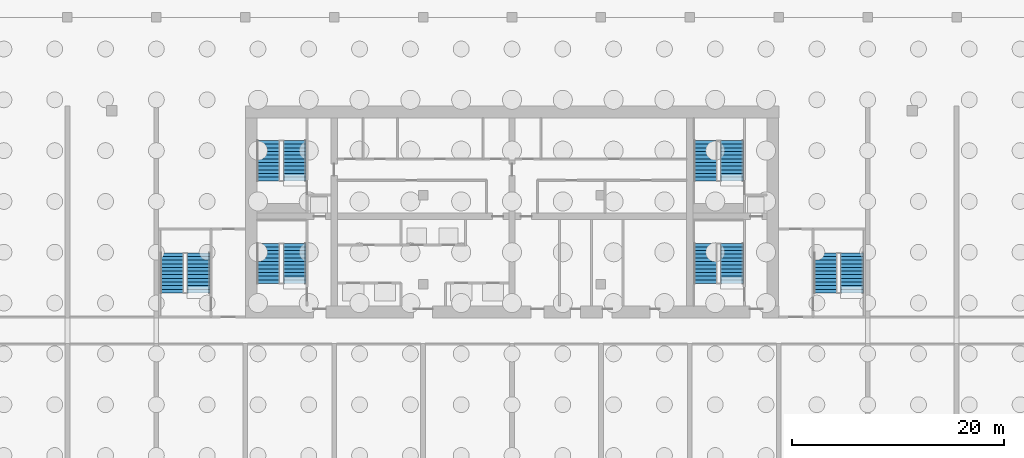
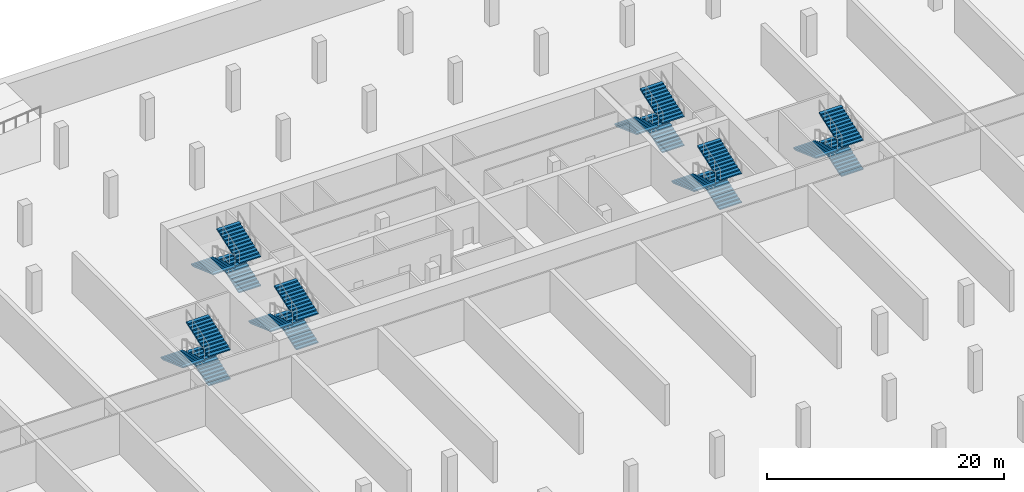
# One storey, part 15 of 17: 18 stair flights, 6 elements without a shape of their own.
"""IFC4 building model written with IfcOpenShell, lengths in metres."""

from ifc_helpers import new_model, si_unit, direction, frame, origin, place, context, subcontext, project, spatial, polyline, outline, extrude, source, transform, mapped, material, type_object, element, aggregate, save


model = new_model("IFC4")

# Units and contexts
model_context = context("Model", 3, precision=1e-05, world=origin(), true_north=direction((0.0, 1.0)))
body_context = subcontext(model_context, "Body", "Model", "MODEL_VIEW")
ifc_project = project(units=[si_unit("LENGTHUNIT", "METRE"), si_unit("AREAUNIT", "SQUARE_METRE"), si_unit("VOLUMEUNIT", "CUBIC_METRE"), si_unit("PLANEANGLEUNIT", "RADIAN"), si_unit("MASSUNIT", "GRAM", prefix="KILO")], contexts=[model_context])

# Site, building, storey
site_placement = place(None, origin())
site = spatial("IfcSite", under=ifc_project, at=site_placement, CompositionType="ELEMENT")
building_placement = place(site_placement, origin())
building = spatial("IfcBuilding", under=site, at=building_placement, Name="Vanashikhar Sky Hotel", CompositionType="ELEMENT")
storey_placement = place(building_placement, frame((0.0, 0.0, -13.5)))
storey = spatial("IfcBuildingStorey", under=building, at=storey_placement, Name="B3", CompositionType="ELEMENT", Elevation=-13.5)

# Stair, stair flights
ifc_material = material(Name="Concrete M40", Category="concrete")
stair_type = type_object("IfcStairType", Name="Exit stair 2150", PredefinedType="DOUBLE_RETURN_STAIR", material=ifc_material)
stair_1_placement = place(storey_placement, origin())
stair_1 = element("IfcStair", 1, at=stair_1_placement, inside=storey, type_object=stair_type, Name="B3 Exit stair 1", PredefinedType="DOUBLE_RETURN_STAIR")
stair_flight_type = type_object("IfcStairFlightType", Name="Stair flight 2150", PredefinedType="STRAIGHT", material=ifc_material)
shared_shape = source(origin(), body_context, "Body", "SweptSolid", [
    extrude(outline(polyline([(0.0, 0.0), (0.0, 0.125), (0.345458984375, 0.125), (0.345458984375, 0.25), (0.69091796875, 0.25), (0.69091796875, 0.375), (1.036376953125, 0.375), (1.036376953125, 0.5), (1.3818359375, 0.5), (1.3818359375, 0.625), (1.727294921875, 0.625), (1.727294921875, 0.75), (2.07275390625, 0.75), (2.07275390625, 0.875), (2.418212890625, 0.875), (2.418212890625, 1.0), (2.763671875, 1.0), (2.763671875, 1.125), (3.109130859375, 1.125), (3.109130859375, 1.25), (3.45458984375, 1.25), (3.45458984375, 1.375), (3.800048828125, 1.375), (3.800048828125, 1.5), (3.800048828125, 1.247314453125), (0.35302734375, 0.0), (0.0, 0.0)])), frame((0.0, 1.074951171875, 0.0), z_axis=(0.0, -1.0, 0.0), x_axis=(1.0, 0.0, 0.0)), (0.0, 0.0, 1.0), 2.14990234375),
])
stair_flight_1_placement = place(storey_placement, frame((29.875, 25.25, 0.0), z_axis=(0.0, 0.0, 1.0), x_axis=(0.0, 1.0, 0.0)))
stair_flight_1 = element("IfcStairFlight", 2, at=stair_flight_1_placement, type_object=stair_flight_type, Name="ST-C1 flight 1", NumberOfRisers=12, NumberOfTreads=11, PredefinedType="STRAIGHT", RiserHeight=0.125, TreadLength=0.345454545, context=body_context, shape_type="MappedRepresentation", body=[
    mapped(shared_shape, transform((0.0, 0.0, 0.0), scale=1.0)),
])
stair_flight_2_placement = place(storey_placement, frame((27.375, 29.050048828125, 1.5), z_axis=(0.0, 0.0, 1.0), x_axis=(0.0, -1.0, 0.0)))
stair_flight_2 = element("IfcStairFlight", 3, at=stair_flight_2_placement, type_object=stair_flight_type, Name="ST-C1 flight 2", NumberOfRisers=12, NumberOfTreads=11, PredefinedType="STRAIGHT", RiserHeight=0.125, TreadLength=0.345454545, context=body_context, shape_type="MappedRepresentation", body=[
    mapped(shared_shape, transform((0.0, 0.0, 0.0), scale=1.0)),
])
stair_flight_3_placement = place(storey_placement, frame((29.875, 25.25, 3.0), z_axis=(0.0, 0.0, 1.0), x_axis=(0.0, 1.0, 0.0)))
stair_flight_3 = element("IfcStairFlight", 4, at=stair_flight_3_placement, type_object=stair_flight_type, Name="ST-C1 flight 3", NumberOfRisers=12, NumberOfTreads=11, PredefinedType="STRAIGHT", RiserHeight=0.125, TreadLength=0.345454545, context=body_context, shape_type="MappedRepresentation", body=[
    mapped(shared_shape, transform((0.0, 0.0, 0.0), scale=1.0)),
])
aggregate(stair_1, [stair_flight_1, stair_flight_2, stair_flight_3])

stair_2_placement = place(storey_placement, origin())
stair_2 = element("IfcStair", 5, at=stair_2_placement, inside=storey, type_object=stair_type, Name="B3 Exit stair 2", PredefinedType="DOUBLE_RETURN_STAIR")
stair_flight_4_placement = place(storey_placement, frame((71.175048828125, 25.25, 0.0), z_axis=(0.0, 0.0, 1.0), x_axis=(0.0, 1.0, 0.0)))
stair_flight_4 = element("IfcStairFlight", 6, at=stair_flight_4_placement, type_object=stair_flight_type, Name="ST-C2 flight 1", NumberOfRisers=12, NumberOfTreads=11, PredefinedType="STRAIGHT", RiserHeight=0.125, TreadLength=0.345454545, context=body_context, shape_type="MappedRepresentation", body=[
    mapped(shared_shape, transform((0.0, 0.0, 0.0), scale=1.0)),
])
stair_flight_5_placement = place(storey_placement, frame((68.675048828125, 29.050048828125, 1.5), z_axis=(0.0, 0.0, 1.0), x_axis=(0.0, -1.0, 0.0)))
stair_flight_5 = element("IfcStairFlight", 7, at=stair_flight_5_placement, type_object=stair_flight_type, Name="ST-C2 flight 2", NumberOfRisers=12, NumberOfTreads=11, PredefinedType="STRAIGHT", RiserHeight=0.125, TreadLength=0.345454545, context=body_context, shape_type="MappedRepresentation", body=[
    mapped(shared_shape, transform((0.0, 0.0, 0.0), scale=1.0)),
])
stair_flight_6_placement = place(storey_placement, frame((71.175048828125, 25.25, 3.0), z_axis=(0.0, 0.0, 1.0), x_axis=(0.0, 1.0, 0.0)))
stair_flight_6 = element("IfcStairFlight", 8, at=stair_flight_6_placement, type_object=stair_flight_type, Name="ST-C2 flight 3", NumberOfRisers=12, NumberOfTreads=11, PredefinedType="STRAIGHT", RiserHeight=0.125, TreadLength=0.345454545, context=body_context, shape_type="MappedRepresentation", body=[
    mapped(shared_shape, transform((0.0, 0.0, 0.0), scale=1.0)),
])
aggregate(stair_2, [stair_flight_4, stair_flight_5, stair_flight_6])

stair_3_placement = place(storey_placement, origin())
stair_3 = element("IfcStair", 9, at=stair_3_placement, inside=storey, type_object=stair_type, Name="B3 Exit stair 3", PredefinedType="DOUBLE_RETURN_STAIR")
stair_flight_7_placement = place(storey_placement, frame((20.77490234375, 24.35009765625, 0.0), z_axis=(0.0, 0.0, 1.0), x_axis=(0.0, 1.0, 0.0)))
stair_flight_7 = element("IfcStairFlight", 10, at=stair_flight_7_placement, type_object=stair_flight_type, Name="ST-W flight 1", NumberOfRisers=12, NumberOfTreads=11, PredefinedType="STRAIGHT", RiserHeight=0.125, TreadLength=0.345454545, context=body_context, shape_type="MappedRepresentation", body=[
    mapped(shared_shape, transform((0.0, 0.0, 0.0), scale=1.0)),
])
stair_flight_8_placement = place(storey_placement, frame((18.27490234375, 28.14990234375, 1.5), z_axis=(0.0, 0.0, 1.0), x_axis=(0.0, -1.0, 0.0)))
stair_flight_8 = element("IfcStairFlight", 11, at=stair_flight_8_placement, type_object=stair_flight_type, Name="ST-W flight 2", NumberOfRisers=12, NumberOfTreads=11, PredefinedType="STRAIGHT", RiserHeight=0.125, TreadLength=0.345454545, context=body_context, shape_type="MappedRepresentation", body=[
    mapped(shared_shape, transform((0.0, 0.0, 0.0), scale=1.0)),
])
stair_flight_9_placement = place(storey_placement, frame((20.77490234375, 24.35009765625, 3.0), z_axis=(0.0, 0.0, 1.0), x_axis=(0.0, 1.0, 0.0)))
stair_flight_9 = element("IfcStairFlight", 12, at=stair_flight_9_placement, type_object=stair_flight_type, Name="ST-W flight 3", NumberOfRisers=12, NumberOfTreads=11, PredefinedType="STRAIGHT", RiserHeight=0.125, TreadLength=0.345454545, context=body_context, shape_type="MappedRepresentation", body=[
    mapped(shared_shape, transform((0.0, 0.0, 0.0), scale=1.0)),
])
aggregate(stair_3, [stair_flight_7, stair_flight_8, stair_flight_9])

stair_4_placement = place(storey_placement, origin())
stair_4 = element("IfcStair", 13, at=stair_4_placement, inside=storey, type_object=stair_type, Name="B3 Exit stair 4", PredefinedType="DOUBLE_RETURN_STAIR")
stair_flight_10_placement = place(storey_placement, frame((82.52490234375, 24.35009765625, 0.0), z_axis=(0.0, 0.0, 1.0), x_axis=(0.0, 1.0, 0.0)))
stair_flight_10 = element("IfcStairFlight", 14, at=stair_flight_10_placement, type_object=stair_flight_type, Name="ST-E flight 1", NumberOfRisers=12, NumberOfTreads=11, PredefinedType="STRAIGHT", RiserHeight=0.125, TreadLength=0.345454545, context=body_context, shape_type="MappedRepresentation", body=[
    mapped(shared_shape, transform((0.0, 0.0, 0.0), scale=1.0)),
])
stair_flight_11_placement = place(storey_placement, frame((80.02490234375, 28.14990234375, 1.5), z_axis=(0.0, 0.0, 1.0), x_axis=(0.0, -1.0, 0.0)))
stair_flight_11 = element("IfcStairFlight", 15, at=stair_flight_11_placement, type_object=stair_flight_type, Name="ST-E flight 2", NumberOfRisers=12, NumberOfTreads=11, PredefinedType="STRAIGHT", RiserHeight=0.125, TreadLength=0.345454545, context=body_context, shape_type="MappedRepresentation", body=[
    mapped(shared_shape, transform((0.0, 0.0, 0.0), scale=1.0)),
])
stair_flight_12_placement = place(storey_placement, frame((82.52490234375, 24.35009765625, 3.0), z_axis=(0.0, 0.0, 1.0), x_axis=(0.0, 1.0, 0.0)))
stair_flight_12 = element("IfcStairFlight", 16, at=stair_flight_12_placement, type_object=stair_flight_type, Name="ST-E flight 3", NumberOfRisers=12, NumberOfTreads=11, PredefinedType="STRAIGHT", RiserHeight=0.125, TreadLength=0.345454545, context=body_context, shape_type="MappedRepresentation", body=[
    mapped(shared_shape, transform((0.0, 0.0, 0.0), scale=1.0)),
])
aggregate(stair_4, [stair_flight_10, stair_flight_11, stair_flight_12])

stair_5_placement = place(storey_placement, origin())
stair_5 = element("IfcStair", 17, at=stair_5_placement, inside=storey, type_object=stair_type, Name="B3 Exit stair 5", PredefinedType="DOUBLE_RETURN_STAIR")
stair_flight_13_placement = place(storey_placement, frame((29.875, 34.949951171875, 0.0), z_axis=(0.0, 0.0, 1.0), x_axis=(0.0, 1.0, 0.0)))
stair_flight_13 = element("IfcStairFlight", 18, at=stair_flight_13_placement, type_object=stair_flight_type, Name="ST-C3 flight 1", NumberOfRisers=12, NumberOfTreads=11, PredefinedType="STRAIGHT", RiserHeight=0.125, TreadLength=0.345454545, context=body_context, shape_type="MappedRepresentation", body=[
    mapped(shared_shape, transform((0.0, 0.0, 0.0), scale=1.0)),
])
stair_flight_14_placement = place(storey_placement, frame((27.375, 38.75, 1.5), z_axis=(0.0, 0.0, 1.0), x_axis=(0.0, -1.0, 0.0)))
stair_flight_14 = element("IfcStairFlight", 19, at=stair_flight_14_placement, type_object=stair_flight_type, Name="ST-C3 flight 2", NumberOfRisers=12, NumberOfTreads=11, PredefinedType="STRAIGHT", RiserHeight=0.125, TreadLength=0.345454545, context=body_context, shape_type="MappedRepresentation", body=[
    mapped(shared_shape, transform((0.0, 0.0, 0.0), scale=1.0)),
])
stair_flight_15_placement = place(storey_placement, frame((29.875, 34.949951171875, 3.0), z_axis=(0.0, 0.0, 1.0), x_axis=(0.0, 1.0, 0.0)))
stair_flight_15 = element("IfcStairFlight", 20, at=stair_flight_15_placement, type_object=stair_flight_type, Name="ST-C3 flight 3", NumberOfRisers=12, NumberOfTreads=11, PredefinedType="STRAIGHT", RiserHeight=0.125, TreadLength=0.345454545, context=body_context, shape_type="MappedRepresentation", body=[
    mapped(shared_shape, transform((0.0, 0.0, 0.0), scale=1.0)),
])
aggregate(stair_5, [stair_flight_13, stair_flight_14, stair_flight_15])

stair_6_placement = place(storey_placement, origin())
stair_6 = element("IfcStair", 21, at=stair_6_placement, inside=storey, type_object=stair_type, Name="B3 Exit stair 6", PredefinedType="DOUBLE_RETURN_STAIR")
stair_flight_16_placement = place(storey_placement, frame((71.175048828125, 34.949951171875, 0.0), z_axis=(0.0, 0.0, 1.0), x_axis=(0.0, 1.0, 0.0)))
stair_flight_16 = element("IfcStairFlight", 22, at=stair_flight_16_placement, type_object=stair_flight_type, Name="ST-C4 flight 1", NumberOfRisers=12, NumberOfTreads=11, PredefinedType="STRAIGHT", RiserHeight=0.125, TreadLength=0.345454545, context=body_context, shape_type="MappedRepresentation", body=[
    mapped(shared_shape, transform((0.0, 0.0, 0.0), scale=1.0)),
])
stair_flight_17_placement = place(storey_placement, frame((68.675048828125, 38.75, 1.5), z_axis=(0.0, 0.0, 1.0), x_axis=(0.0, -1.0, 0.0)))
stair_flight_17 = element("IfcStairFlight", 23, at=stair_flight_17_placement, type_object=stair_flight_type, Name="ST-C4 flight 2", NumberOfRisers=12, NumberOfTreads=11, PredefinedType="STRAIGHT", RiserHeight=0.125, TreadLength=0.345454545, context=body_context, shape_type="MappedRepresentation", body=[
    mapped(shared_shape, transform((0.0, 0.0, 0.0), scale=1.0)),
])
stair_flight_18_placement = place(storey_placement, frame((71.175048828125, 34.949951171875, 3.0), z_axis=(0.0, 0.0, 1.0), x_axis=(0.0, 1.0, 0.0)))
stair_flight_18 = element("IfcStairFlight", 24, at=stair_flight_18_placement, type_object=stair_flight_type, Name="ST-C4 flight 3", NumberOfRisers=12, NumberOfTreads=11, PredefinedType="STRAIGHT", RiserHeight=0.125, TreadLength=0.345454545, context=body_context, shape_type="MappedRepresentation", body=[
    mapped(shared_shape, transform((0.0, 0.0, 0.0), scale=1.0)),
])
aggregate(stair_6, [stair_flight_16, stair_flight_17, stair_flight_18])

save(model, "model.ifc")
